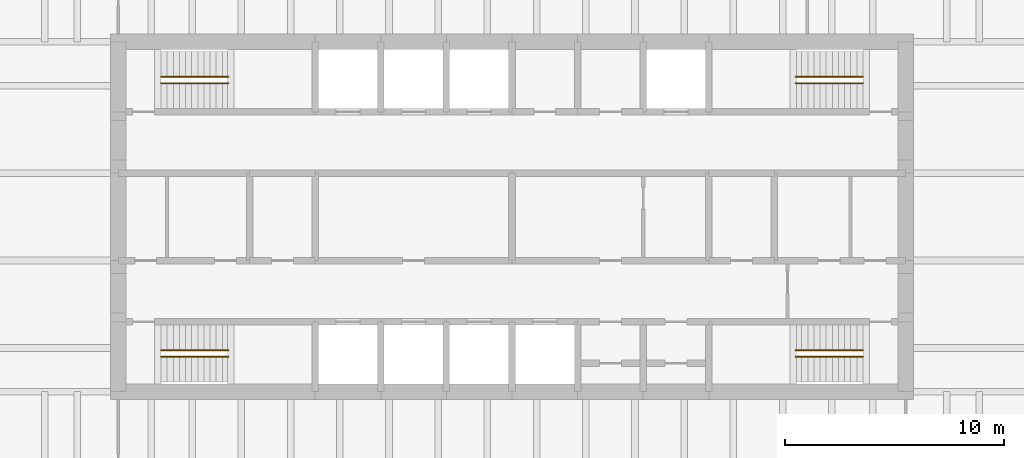
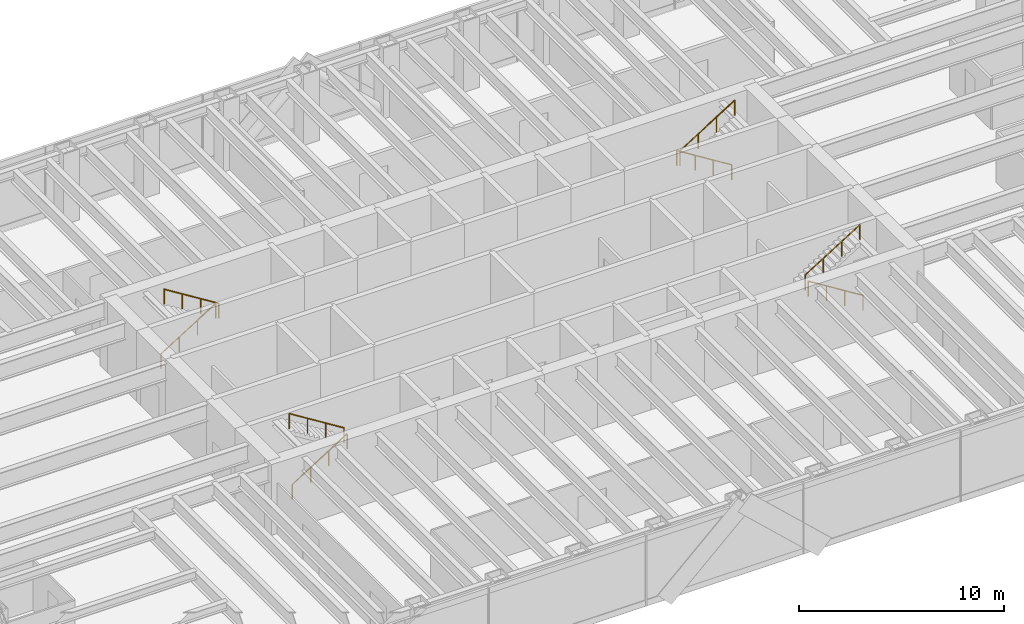
# One storey, part 17 of 17: 8 railings.
"""IFC4 building model written with IfcOpenShell, lengths in metres."""

from ifc_helpers import new_model, si_unit, direction, frame, origin, origin_2d, place, context, subcontext, project, spatial, circle, extrude, material, type_object, element, save


model = new_model("IFC4")

# Units and contexts
model_context = context("Model", 3, precision=1e-05, world=origin(), true_north=direction((0.0, 1.0)))
body_context = subcontext(model_context, "Body", "Model", "MODEL_VIEW")
ifc_project = project(units=[si_unit("LENGTHUNIT", "METRE"), si_unit("AREAUNIT", "SQUARE_METRE"), si_unit("VOLUMEUNIT", "CUBIC_METRE"), si_unit("PLANEANGLEUNIT", "RADIAN"), si_unit("MASSUNIT", "GRAM", prefix="KILO")], contexts=[model_context])

# Site, building, storey
site_placement = place(None, origin())
site = spatial("IfcSite", under=ifc_project, at=site_placement, CompositionType="ELEMENT")
building_placement = place(site_placement, origin())
building = spatial("IfcBuilding", under=site, at=building_placement, Name="Rheinbord Bourse Tower", CompositionType="ELEMENT")
storey_placement = place(building_placement, frame((0.0, 0.0, 300.5)))
storey = spatial("IfcBuildingStorey", under=building, at=storey_placement, Name="L68", CompositionType="ELEMENT", Elevation=300.5)

# Railings
ifc_material = material(Name="Steel handrail", Category="steel")
railing_type = type_object("IfcRailingType", Name="HANDRAIL 900", PredefinedType="HANDRAIL", material=ifc_material)
railing_1_placement = place(storey_placement, frame((19.949951171875, 17.60009765625, 0.175048828125)))
element("IfcRailing", 1, at=railing_1_placement, inside=storey, type_object=railing_type, Name="Handrail", PredefinedType="HANDRAIL", context=body_context, shape_type="SweptSolid", body=[
    extrude(circle(Radius=0.02392578125, at=origin_2d()), frame((0.0, 0.0, 0.8759765625), z_axis=(0.847998304005, 0.0, 0.529998940003), x_axis=(0.0, 1.0, 0.0)), (0.0, 0.0, 1.0), 3.632080078125),
    extrude(circle(Radius=0.02099609375, at=origin_2d()), origin(), (0.0, 0.0, 1.0), 0.851806640625),
    extrude(circle(Radius=0.02099609375, at=origin_2d()), frame((1.026611328125, 0.0, 0.6416015625)), (0.0, 0.0, 1.0), 0.851806640625),
    extrude(circle(Radius=0.02099609375, at=origin_2d()), frame((2.053466796875, 0.0, 1.283447265625)), (0.0, 0.0, 1.0), 0.851806640625),
    extrude(circle(Radius=0.02099609375, at=origin_2d()), frame((3.080078125, 0.0, 1.925048828125)), (0.0, 0.0, 1.0), 0.851806640625),
])
railing_2_placement = place(storey_placement, frame((23.030029296875, 17.89990234375, 2.27490234375)))
element("IfcRailing", 2, at=railing_2_placement, inside=storey, type_object=railing_type, Name="Handrail", PredefinedType="HANDRAIL", context=body_context, shape_type="SweptSolid", body=[
    extrude(circle(Radius=0.02392578125, at=origin_2d()), frame((0.0, 0.0, 0.8759765625), z_axis=(-0.847998304005, 0.0, 0.529998940003), x_axis=(0.0, -1.0, 0.0)), (0.0, 0.0, 1.0), 3.632080078125),
    extrude(circle(Radius=0.02099609375, at=origin_2d()), origin(), (0.0, 0.0, 1.0), 0.851806640625),
    extrude(circle(Radius=0.02099609375, at=origin_2d()), frame((-1.026611328125, 0.0, 0.6416015625)), (0.0, 0.0, 1.0), 0.851806640625),
    extrude(circle(Radius=0.02099609375, at=origin_2d()), frame((-2.053466796875, 0.0, 1.283447265625)), (0.0, 0.0, 1.0), 0.851806640625),
    extrude(circle(Radius=0.02099609375, at=origin_2d()), frame((-3.080078125, 0.0, 1.925048828125)), (0.0, 0.0, 1.0), 0.851806640625),
])
railing_3_placement = place(storey_placement, frame((19.949951171875, 30.39990234375, 0.175048828125)))
element("IfcRailing", 3, at=railing_3_placement, inside=storey, type_object=railing_type, Name="Handrail", PredefinedType="HANDRAIL", context=body_context, shape_type="SweptSolid", body=[
    extrude(circle(Radius=0.02392578125, at=origin_2d()), frame((0.0, 0.0, 0.8759765625), z_axis=(0.847998304005, 0.0, 0.529998940003), x_axis=(0.0, 1.0, 0.0)), (0.0, 0.0, 1.0), 3.632080078125),
    extrude(circle(Radius=0.02099609375, at=origin_2d()), origin(), (0.0, 0.0, 1.0), 0.851806640625),
    extrude(circle(Radius=0.02099609375, at=origin_2d()), frame((1.026611328125, 0.0, 0.6416015625)), (0.0, 0.0, 1.0), 0.851806640625),
    extrude(circle(Radius=0.02099609375, at=origin_2d()), frame((2.053466796875, 0.0, 1.283447265625)), (0.0, 0.0, 1.0), 0.851806640625),
    extrude(circle(Radius=0.02099609375, at=origin_2d()), frame((3.080078125, 0.0, 1.925048828125)), (0.0, 0.0, 1.0), 0.851806640625),
])
for number, where, name in (
    (4, (23.030029296875, 30.10009765625, 2.27490234375), "Handrail"),
    (5, (52.050048828125, 17.60009765625, 0.175048828125), "Handrail"),
):
    element("IfcRailing", number, at=place(storey_placement, frame(where)), inside=storey, type_object=railing_type, Name=name, PredefinedType="HANDRAIL", context=body_context, shape_type="SweptSolid", body=[
        extrude(circle(Radius=0.02392578125, at=origin_2d()), frame((0.0, 0.0, 0.8759765625), z_axis=(-0.847998304005, 0.0, 0.529998940003), x_axis=(0.0, -1.0, 0.0)), (0.0, 0.0, 1.0), 3.632080078125),
        extrude(circle(Radius=0.02099609375, at=origin_2d()), origin(), (0.0, 0.0, 1.0), 0.851806640625),
        extrude(circle(Radius=0.02099609375, at=origin_2d()), frame((-1.026611328125, 0.0, 0.6416015625)), (0.0, 0.0, 1.0), 0.851806640625),
        extrude(circle(Radius=0.02099609375, at=origin_2d()), frame((-2.053466796875, 0.0, 1.283447265625)), (0.0, 0.0, 1.0), 0.851806640625),
        extrude(circle(Radius=0.02099609375, at=origin_2d()), frame((-3.080078125, 0.0, 1.925048828125)), (0.0, 0.0, 1.0), 0.851806640625),
    ])
railing_4_placement = place(storey_placement, frame((48.969970703125, 17.89990234375, 2.27490234375)))
element("IfcRailing", 6, at=railing_4_placement, inside=storey, type_object=railing_type, Name="Handrail", PredefinedType="HANDRAIL", context=body_context, shape_type="SweptSolid", body=[
    extrude(circle(Radius=0.02392578125, at=origin_2d()), frame((0.0, 0.0, 0.8759765625), z_axis=(0.847998304005, 0.0, 0.529998940003), x_axis=(0.0, 1.0, 0.0)), (0.0, 0.0, 1.0), 3.632080078125),
    extrude(circle(Radius=0.02099609375, at=origin_2d()), origin(), (0.0, 0.0, 1.0), 0.851806640625),
    extrude(circle(Radius=0.02099609375, at=origin_2d()), frame((1.026611328125, 0.0, 0.6416015625)), (0.0, 0.0, 1.0), 0.851806640625),
    extrude(circle(Radius=0.02099609375, at=origin_2d()), frame((2.053466796875, 0.0, 1.283447265625)), (0.0, 0.0, 1.0), 0.851806640625),
    extrude(circle(Radius=0.02099609375, at=origin_2d()), frame((3.080078125, 0.0, 1.925048828125)), (0.0, 0.0, 1.0), 0.851806640625),
])
railing_5_placement = place(storey_placement, frame((52.050048828125, 30.39990234375, 0.175048828125)))
element("IfcRailing", 7, at=railing_5_placement, inside=storey, type_object=railing_type, Name="Handrail", PredefinedType="HANDRAIL", context=body_context, shape_type="SweptSolid", body=[
    extrude(circle(Radius=0.02392578125, at=origin_2d()), frame((0.0, 0.0, 0.8759765625), z_axis=(-0.847998304005, 0.0, 0.529998940003), x_axis=(0.0, -1.0, 0.0)), (0.0, 0.0, 1.0), 3.632080078125),
    extrude(circle(Radius=0.02099609375, at=origin_2d()), origin(), (0.0, 0.0, 1.0), 0.851806640625),
    extrude(circle(Radius=0.02099609375, at=origin_2d()), frame((-1.026611328125, 0.0, 0.6416015625)), (0.0, 0.0, 1.0), 0.851806640625),
    extrude(circle(Radius=0.02099609375, at=origin_2d()), frame((-2.053466796875, 0.0, 1.283447265625)), (0.0, 0.0, 1.0), 0.851806640625),
    extrude(circle(Radius=0.02099609375, at=origin_2d()), frame((-3.080078125, 0.0, 1.925048828125)), (0.0, 0.0, 1.0), 0.851806640625),
])
railing_6_placement = place(storey_placement, frame((48.969970703125, 30.10009765625, 2.27490234375)))
element("IfcRailing", 8, at=railing_6_placement, inside=storey, type_object=railing_type, Name="Handrail", PredefinedType="HANDRAIL", context=body_context, shape_type="SweptSolid", body=[
    extrude(circle(Radius=0.02392578125, at=origin_2d()), frame((0.0, 0.0, 0.8759765625), z_axis=(0.847998304005, 0.0, 0.529998940003), x_axis=(0.0, 1.0, 0.0)), (0.0, 0.0, 1.0), 3.632080078125),
    extrude(circle(Radius=0.02099609375, at=origin_2d()), origin(), (0.0, 0.0, 1.0), 0.851806640625),
    extrude(circle(Radius=0.02099609375, at=origin_2d()), frame((1.026611328125, 0.0, 0.6416015625)), (0.0, 0.0, 1.0), 0.851806640625),
    extrude(circle(Radius=0.02099609375, at=origin_2d()), frame((2.053466796875, 0.0, 1.283447265625)), (0.0, 0.0, 1.0), 0.851806640625),
    extrude(circle(Radius=0.02099609375, at=origin_2d()), frame((3.080078125, 0.0, 1.925048828125)), (0.0, 0.0, 1.0), 0.851806640625),
])

save(model, "model.ifc")
